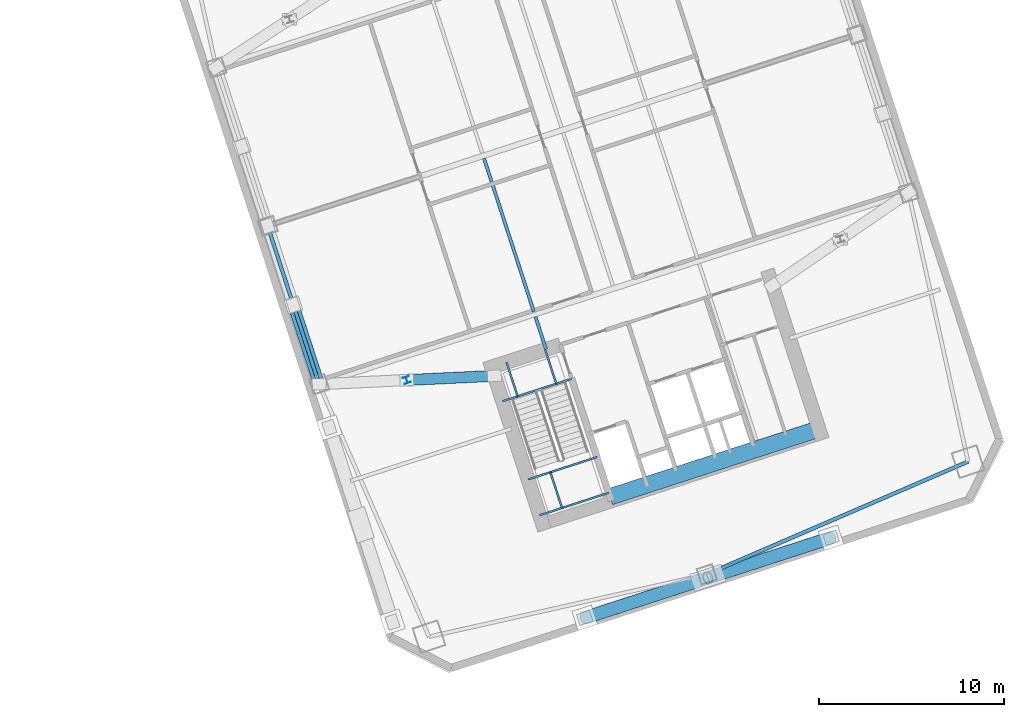
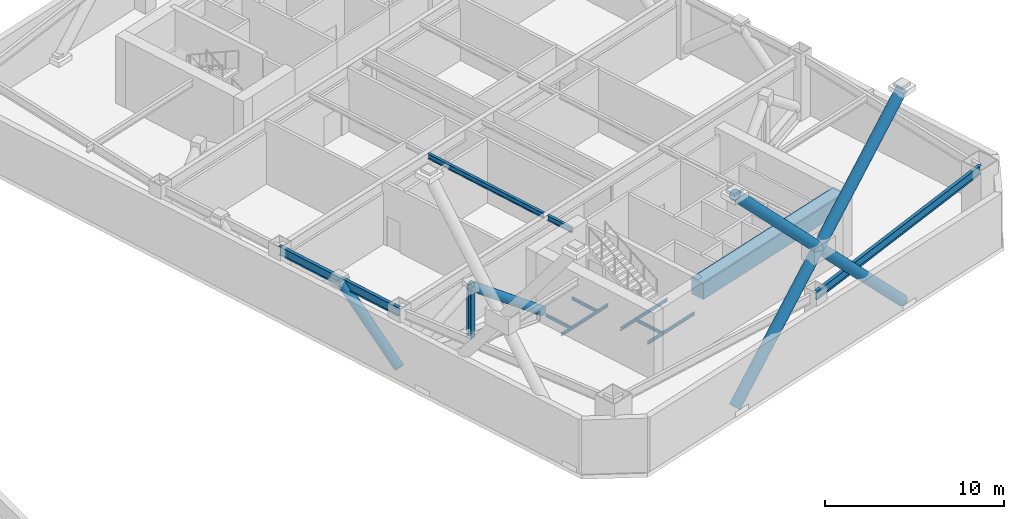
# One storey, part 7 of 19: 11 beams, 7 members.
"""IFC4 building model written with IfcOpenShell, lengths in metres."""

from ifc_helpers import new_model, si_unit, direction, frame, origin, origin_2d, place, context, subcontext, project, spatial, rectangle, hollow_circle, i_section, extrude, material, material_profile, profile_set, type_object, element, save


model = new_model("IFC4")

# Units and contexts
model_context = context("Model", 3, precision=1e-05, world=origin(), true_north=direction((0.0, 1.0)))
body_context = subcontext(model_context, "Body", "Model", "MODEL_VIEW")
ifc_project = project(units=[si_unit("LENGTHUNIT", "METRE"), si_unit("AREAUNIT", "SQUARE_METRE"), si_unit("VOLUMEUNIT", "CUBIC_METRE"), si_unit("PLANEANGLEUNIT", "RADIAN"), si_unit("MASSUNIT", "GRAM", prefix="KILO")], contexts=[model_context])

# Site, building, storey
site_placement = place(None, origin())
site = spatial("IfcSite", under=ifc_project, at=site_placement, CompositionType="ELEMENT")
building_placement = place(site_placement, origin())
building = spatial("IfcBuilding", under=site, at=building_placement, Name="Qiaolan Cultural Towers", CompositionType="ELEMENT")
storey_placement = place(building_placement, frame((0.0, 0.0, 92.0)))
storey = spatial("IfcBuildingStorey", under=building, at=storey_placement, Name="L23", CompositionType="ELEMENT", Elevation=92.0)

# Beams
ifc_material_1 = material(Name="Steel Q355B", Category="steel")
ifc_material_profile_1 = material_profile(ifc_material_1, i_section(OverallWidth=0.175048828125, OverallDepth=0.35009765625, WebThickness=0.007080078125, FlangeThickness=0.010986328125, at=origin_2d()), Name="HN350x175x7x11")
ifc_profile_set_1 = profile_set([ifc_material_profile_1], Name="Steel Q355B")
beam_type_1 = type_object("IfcBeamType", Name="BM-JST-HN350x175x7x11", PredefinedType="JOIST", material=ifc_profile_set_1)
beam_1_placement = place(storey_placement, frame((89.119384765625, 22.147705078125, 4.1650390625), z_axis=(-0.308933885266, 0.951083516067, 0.0), x_axis=(-0.951083516067, -0.308933885266, 0.0)))
element("IfcBeam", 1, at=beam_1_placement, inside=storey, type_object=beam_type_1, Name="L23 T2 Secondary Floor Joist U1-1", PredefinedType="JOIST", context=body_context, shape_type="SweptSolid", body=[
    extrude(i_section(OverallWidth=0.175048828125, OverallDepth=0.35009765625, WebThickness=0.007080078125, FlangeThickness=0.010986328125, at=origin_2d()), origin(), (0.0, 0.0, 1.0), 1.85009765625),
])
beam_2_placement = place(storey_placement, frame((88.455078125, 24.192626953125, 4.1650390625), z_axis=(-0.309020714809, 0.951055307445, 0.0), x_axis=(-0.951055307445, -0.309020714809, 0.0)))
element("IfcBeam", 2, at=beam_2_placement, inside=storey, type_object=beam_type_1, Name="L23 T2 Secondary Floor Joist U1-2", PredefinedType="JOIST", context=body_context, shape_type="SweptSolid", body=[
    extrude(i_section(OverallWidth=0.175048828125, OverallDepth=0.35009765625, WebThickness=0.007080078125, FlangeThickness=0.010986328125, at=origin_2d()), origin(), (0.0, 0.0, 1.0), 8.699951171875),
])
ifc_material_2 = material(Name="Concrete C50", Category="concrete")
ifc_material_profile_2 = material_profile(ifc_material_2, rectangle(XDim=0.89990234375, YDim=1.10009765625, at=origin_2d()), Name="RC900x1100")
ifc_profile_set_2 = profile_set([ifc_material_profile_2], Name="Concrete C50")
beam_type_2 = type_object("IfcBeamType", Name="BM-RC900x1100", PredefinedType="BEAM", material=ifc_profile_set_2)
beam_3_placement = place(storey_placement, frame((92.572265625, 14.174560546875, 3.7900390625), z_axis=(0.951056266386, 0.309017763514, 0.0), x_axis=(-0.309017763514, 0.951056266386, 0.0)))
element("IfcBeam", 3, at=beam_3_placement, inside=storey, type_object=beam_type_2, Name="L23 T2 Core Header Girder S", PredefinedType="BEAM", context=body_context, shape_type="SweptSolid", body=[
    extrude(rectangle(XDim=0.89990234375, YDim=1.10009765625, at=origin_2d()), origin(), (0.0, 0.0, 1.0), 11.880126953125),
])
ifc_material_3 = material(Name="Steel Q355B", Category="steel")
ifc_material_profile_3 = material_profile(ifc_material_3, i_section(OverallWidth=0.199951171875, OverallDepth=0.60009765625, WebThickness=0.010986328125, FlangeThickness=0.01708984375, at=origin_2d()), Name="HN600x200x11x17")
ifc_profile_set_3 = profile_set([ifc_material_profile_3], Name="Steel Q355B")
beam_type_3 = type_object("IfcBeamType", Name="BM-SPD-HN600x200x11x17", PredefinedType="SPANDREL", material=ifc_profile_set_3)
beam_4_placement = place(storey_placement, frame((97.802734375, 9.98583984375, 4.0400390625), z_axis=(0.918217549337, 0.396076422032, 0.0), x_axis=(-0.396076422032, 0.918217549337, 0.0)))
element("IfcBeam", 4, at=beam_4_placement, inside=storey, type_object=beam_type_3, Name="L23 T2 Perimeter Spandrel Beam 2", PredefinedType="SPANDREL", context=body_context, shape_type="SweptSolid", body=[
    extrude(i_section(OverallWidth=0.199951171875, OverallDepth=0.60009765625, WebThickness=0.010986328125, FlangeThickness=0.01708984375, at=origin_2d()), origin(), (0.0, 0.0, 1.0), 15.386474609375),
])
beam_5_placement = place(storey_placement, frame((74.06982421875, 28.823974609375, 4.0400390625), z_axis=(0.309024734286, -0.951054001411, 0.0), x_axis=(0.951054001411, 0.309024734286, 0.0)))
element("IfcBeam", 5, at=beam_5_placement, inside=storey, type_object=beam_type_3, Name="L23 T2 Perimeter Spandrel Beam 11", PredefinedType="SPANDREL", context=body_context, shape_type="SweptSolid", body=[
    extrude(i_section(OverallWidth=0.199951171875, OverallDepth=0.60009765625, WebThickness=0.010986328125, FlangeThickness=0.01708984375, at=origin_2d()), origin(), (0.0, 0.0, 1.0), 9.0),
])
ifc_material_4 = material(Name="Steel Q355B", Category="steel")
ifc_material_profile_4 = material_profile(ifc_material_4, i_section(OverallWidth=0.10009765625, OverallDepth=0.199951171875, WebThickness=0.005615234375, FlangeThickness=0.008056640625, at=origin_2d()), Name="HN200x100x5.5x8")
ifc_profile_set_4 = profile_set([ifc_material_profile_4], Name="Steel Q355B")
beam_type_4 = type_object("IfcBeamType", Name="BM-STTRIM-200", PredefinedType="BEAM", material=ifc_profile_set_4)
beam_6_placement = place(storey_placement, frame((86.770751953125, 19.3447265625, -0.4599609375), z_axis=(0.951047798727, 0.309043823005, 0.0), x_axis=(-0.309043823005, 0.951047798727, 0.0)))
element("IfcBeam", 6, at=beam_6_placement, inside=storey, type_object=beam_type_4, Name="L23 ST-E1 Floor Landing Header Beam", PredefinedType="BEAM", context=body_context, shape_type="SweptSolid", body=[
    extrude(i_section(OverallWidth=0.10009765625, OverallDepth=0.199951171875, WebThickness=0.005615234375, FlangeThickness=0.008056640625, at=origin_2d()), origin(), (0.0, 0.0, 1.0), 3.919921875),
])
for number, where, z_axis, x_axis, name in (
    (7, (86.9794921875, 21.452392578125, -0.4599609375), (0.309083226701, -0.951034993558, 0.0), (0.951034993558, 0.309083226701, 0.0), "L23 ST-E1 Floor Landing Stringer 1"),
    (8, (89.07177734375, 22.13232421875, -0.4599609375), (0.309083226701, -0.951034993558, 0.0), (0.951034993558, 0.309083226701, 0.0), "L23 ST-E1 Floor Landing Stringer 2"),
):
    element("IfcBeam", number, at=place(storey_placement, frame(where, z_axis=z_axis, x_axis=x_axis)), inside=storey, type_object=beam_type_4, Name=name, PredefinedType="BEAM", context=body_context, shape_type="SweptSolid", body=[
        extrude(i_section(OverallWidth=0.10009765625, OverallDepth=0.199951171875, WebThickness=0.005615234375, FlangeThickness=0.008056640625, at=origin_2d()), origin(), (0.0, 0.0, 1.0), 1.93994140625),
    ])
beam_7_placement = place(storey_placement, frame((88.145263671875, 15.11376953125, 2.0), z_axis=(0.951053746643, 0.309025518358, 0.0), x_axis=(-0.309025518358, 0.951053746643, 0.0)))
element("IfcBeam", 9, at=beam_7_placement, inside=storey, type_object=beam_type_4, Name="L23 ST-E1 Stair Landing Support Beam 1-1", PredefinedType="BEAM", context=body_context, shape_type="SweptSolid", body=[
    extrude(i_section(OverallWidth=0.10009765625, OverallDepth=0.199951171875, WebThickness=0.005615234375, FlangeThickness=0.008056640625, at=origin_2d()), origin(), (0.0, 0.0, 1.0), 3.920166015625),
])
beam_8_placement = place(storey_placement, frame((88.773193359375, 13.181884765625, 2.0), z_axis=(0.951047798727, 0.309043823005, 0.0), x_axis=(-0.309043823005, 0.951047798727, 0.0)))
element("IfcBeam", 10, at=beam_8_placement, inside=storey, type_object=beam_type_4, Name="L23 ST-E1 Stair Landing Support Beam 1-2", PredefinedType="BEAM", context=body_context, shape_type="SweptSolid", body=[
    extrude(i_section(OverallWidth=0.10009765625, OverallDepth=0.199951171875, WebThickness=0.005615234375, FlangeThickness=0.008056640625, at=origin_2d()), origin(), (0.0, 0.0, 1.0), 3.919921875),
])
beam_9_placement = place(storey_placement, frame((89.353271484375, 15.50634765625, 2.0), z_axis=(0.309007258476, -0.951059679626, 0.0), x_axis=(0.951059679626, 0.309007258476, 0.0)))
element("IfcBeam", 11, at=beam_9_placement, inside=storey, type_object=beam_type_4, Name="L23 ST-E1 Stair Landing Trimmer 1", PredefinedType="BEAM", context=body_context, shape_type="SweptSolid", body=[
    extrude(i_section(OverallWidth=0.10009765625, OverallDepth=0.199951171875, WebThickness=0.005615234375, FlangeThickness=0.008056640625, at=origin_2d()), origin(), (0.0, 0.0, 1.0), 2.03125),
])

# Members
ifc_material_5 = material(Name="Steel Q355B", Category="steel")
ifc_material_profile_5 = material_profile(ifc_material_5, hollow_circle(Radius=0.300048828125, WallThickness=0.030029296875, at=origin_2d()), Name="CHS600x30")
ifc_profile_set_5 = profile_set([ifc_material_profile_5], Name="Steel Q355B")
member_type_1 = type_object("IfcMemberType", Name="MBR-BRC-CHS600x30", PredefinedType="BRACE", material=ifc_profile_set_5)
member_1_placement = place(storey_placement, frame((86.32568359375, 20.71435546875, 0.5), z_axis=(-0.802090653907, -0.038070783975, 0.595987582356), x_axis=(0.047411064811, -0.998875463175, 0.0)))
element("IfcMember", 12, at=member_1_placement, inside=storey, type_object=member_type_1, Name="L23 T2 Outrigger Truss Diagonal WS-1", PredefinedType="BRACE", context=body_context, shape_type="SweptSolid", body=[
    extrude(hollow_circle(Radius=0.300048828125, WallThickness=0.030029296875, at=origin_2d()), origin(), (0.0, 0.0, 1.0), 5.90625),
])
member_2_placement = place(storey_placement, frame((76.85107421875, 20.264404296875, 0.199951171875), z_axis=(-0.233010051245, 0.717111340999, 0.656854352676), x_axis=(-0.951054001411, -0.309024734286, 0.0)))
element("IfcMember", 13, at=member_2_placement, inside=storey, type_object=member_type_1, Name="L23 T2 Perimeter Belt Truss W1-A", PredefinedType="BRACE", context=body_context, shape_type="SweptSolid", body=[
    extrude(hollow_circle(Radius=0.300048828125, WallThickness=0.030029296875, at=origin_2d()), origin(), (0.0, 0.0, 1.0), 5.968017578125),
])
ifc_material_6 = material(Name="Steel Q355B", Category="steel")
ifc_material_profile_6 = material_profile(ifc_material_6, hollow_circle(Radius=0.35009765625, WallThickness=0.034912109375, at=origin_2d()), Name="CHS700x35")
ifc_profile_set_6 = profile_set([ifc_material_profile_6], Name="Steel Q355B")
member_type_2 = type_object("IfcMemberType", Name="MBR-BRC-CHS700x35", PredefinedType="BRACE", material=ifc_profile_set_6)
for number, where, z_axis, x_axis, name in (
    (14, (91.20703125, 7.632568359375, 0.14990234375), (0.660603302436, 0.214637326619, 0.719398425653), (-0.309009574742, 0.951058927048, 0.0), "T2 SOUTH Perimeter Frame Diagonal E-Z2-M2-D1A"),
    (15, (97.864501953125, 9.795654296875, 7.39990234375), (0.660603302436, 0.214637326619, 0.719398425653), (-0.309009574742, 0.951058927048, 0.0), "T2 SOUTH Perimeter Frame Diagonal E-Z2-M2-D1B"),
    (16, (104.52197265625, 11.958740234375, 0.14990234375), (-0.660603302436, -0.214637326619, 0.719398425653), (0.309009574742, -0.951058927048, 0.0), "T2 SOUTH Perimeter Frame Diagonal E-Z2-M2-D2A"),
    (17, (97.864501953125, 9.795654296875, 7.39990234375), (-0.660603302436, -0.214637326619, 0.719398425653), (0.309009574742, -0.951058927048, 0.0), "T2 SOUTH Perimeter Frame Diagonal E-Z2-M2-D2B"),
):
    element("IfcMember", number, at=place(storey_placement, frame(where, z_axis=z_axis, x_axis=x_axis)), inside=storey, type_object=member_type_2, Name=name, PredefinedType="BRACE", context=body_context, shape_type="SweptSolid", body=[
        extrude(hollow_circle(Radius=0.35009765625, WallThickness=0.034912109375, at=origin_2d()), origin(), (0.0, 0.0, 1.0), 10.077880859375),
    ])
ifc_material_7 = material(Name="Steel Q355B", Category="steel")
ifc_material_profile_7 = material_profile(ifc_material_7, i_section(OverallWidth=0.35009765625, OverallDepth=0.35009765625, WebThickness=0.011962890625, FlangeThickness=0.01904296875, at=origin_2d()), Name="HW350x350x12x19")
ifc_profile_set_7 = profile_set([ifc_material_profile_7], Name="Steel Q355B")
member_type_3 = type_object("IfcMemberType", Name="MBR-POST-HW350x350x12x19", PredefinedType="STUD", material=ifc_profile_set_7)
member_3_placement = place(storey_placement, frame((81.58837890625, 20.489501953125, 0.5), z_axis=(0.0, 0.0, 1.0), x_axis=(0.951056516295, 0.309016994375, 0.0)))
element("IfcMember", 18, at=member_3_placement, inside=storey, type_object=member_type_3, Name="L23 T2 Outrigger King Web WS", PredefinedType="STUD", context=body_context, shape_type="SweptSolid", body=[
    extrude(i_section(OverallWidth=0.35009765625, OverallDepth=0.35009765625, WebThickness=0.011962890625, FlangeThickness=0.01904296875, at=origin_2d()), origin(), (0.0, 0.0, 1.0), 3.52001953125),
])

save(model, "model.ifc")
